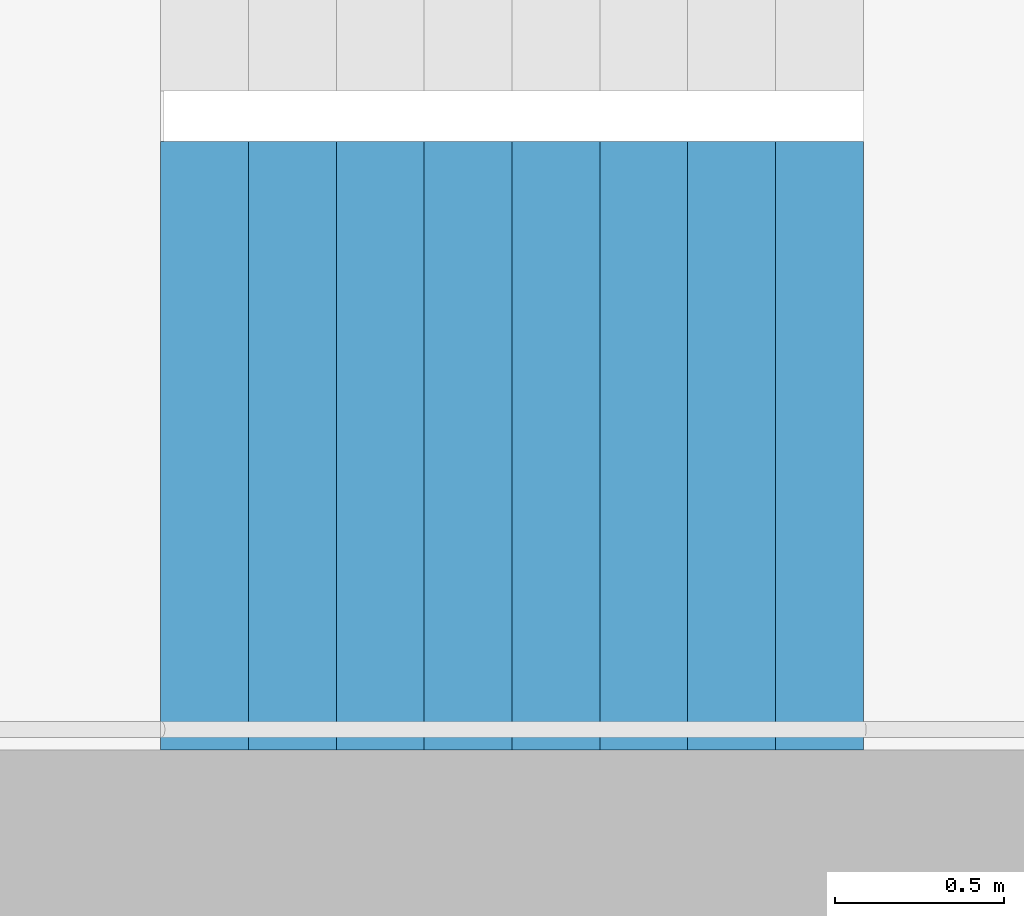
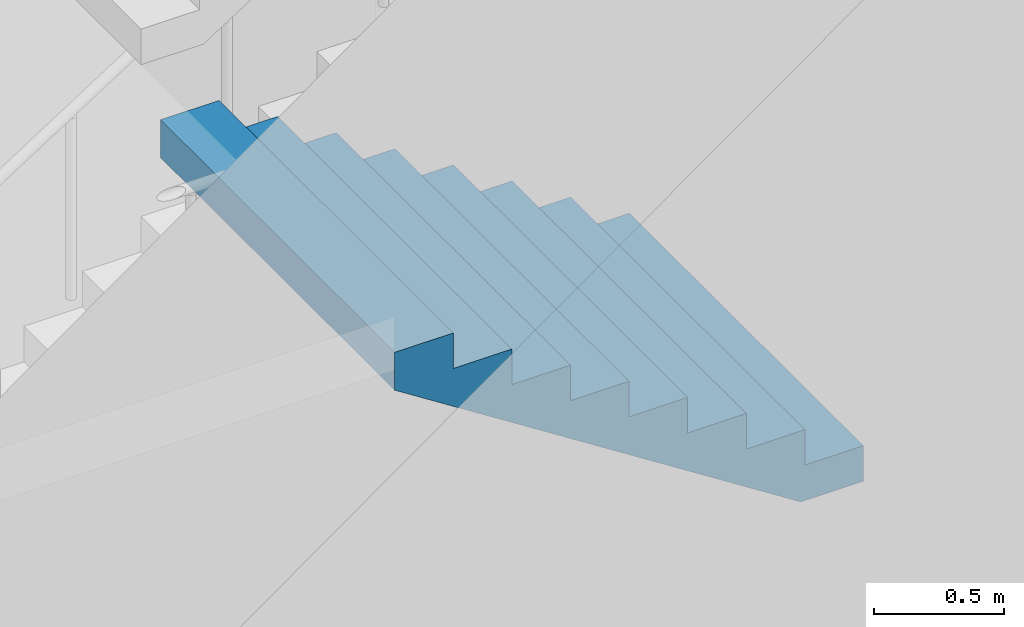
# One storey, part 62 of 100: 1 stair flight, 1 element without a shape of its own.
"""IFC4 building model written with IfcOpenShell, lengths in metres."""

from ifc_helpers import new_model, si_unit, direction, frame, origin, place, context, subcontext, project, spatial, triangles, material, type_object, element, aggregate, save


model = new_model("IFC4")

# Units and contexts
model_context = context("Model", 3, precision=1e-05, world=origin(), true_north=direction((0.0, 1.0)))
body_context = subcontext(model_context, "Body", "Model", "MODEL_VIEW")
ifc_project = project(units=[si_unit("LENGTHUNIT", "METRE"), si_unit("AREAUNIT", "SQUARE_METRE"), si_unit("VOLUMEUNIT", "CUBIC_METRE"), si_unit("PLANEANGLEUNIT", "RADIAN"), si_unit("MASSUNIT", "GRAM", prefix="KILO")], contexts=[model_context])

# Site, building, storey
site_placement = place(None, origin())
site = spatial("IfcSite", under=ifc_project, at=site_placement, CompositionType="ELEMENT")
building_placement = place(site_placement, origin())
building = spatial("IfcBuilding", under=site, at=building_placement, Name="Hakoniwa Tower and Hamabe Station Hall", CompositionType="ELEMENT")
storey_placement = place(building_placement, frame((0.0, 0.0, 9.0)))
storey = spatial("IfcBuildingStorey", under=building, at=storey_placement, Name="L02", CompositionType="ELEMENT", Elevation=9.0)

# Stair, stair flight
ifc_material_1 = material(Name="Concrete C40", Category="concrete")
stair_type = type_object("IfcStairType", Name="ESCAPE STAIR 1800", PredefinedType="HALF_TURN_STAIR", material=ifc_material_1)
stair_placement = place(storey_placement, origin())
stair = element("IfcStair", 1, at=stair_placement, inside=storey, type_object=stair_type, Name="Escape stair ST-4 L02", PredefinedType="HALF_TURN_STAIR")
ifc_material_2 = material(Name="Concrete C40", Category="concrete")
stair_flight_type = type_object("IfcStairFlightType", Name="STAIR FLIGHT 1800", PredefinedType="STRAIGHT", material=ifc_material_2)
stair_flight_placement = place(storey_placement, frame((25.47998046875, -6.60009765625, 1.5), z_axis=(0.0, 0.0, 1.0), x_axis=(-1.0, 0.0, 0.0)))
stair_flight = element("IfcStairFlight", 2, at=stair_flight_placement, type_object=stair_flight_type, Name="ST-4 flight 2", NumberOfRisers=9, NumberOfTreads=8, PredefinedType="STRAIGHT", RiserHeight=0.166666667, TreadLength=0.26, context=body_context, shape_type="Tessellation", body=[
    triangles([(0.0, 0.89990234375, 0.0), (0.260009765625, 0.89990234375, 0.0), (0.27783203125, 0.89990234375, 0.0), (0.52001953125, 0.89990234375, 0.1552734375), (0.780029296875, 0.89990234375, 0.322021484375), (1.0400390625, 0.89990234375, 0.488525390625), (1.300048828125, 0.89990234375, 0.6552734375), (1.56005859375, 0.89990234375, 0.822021484375), (1.820068359375, 0.89990234375, 0.988525390625), (2.080078125, 0.89990234375, 1.1552734375), (2.080078125, 0.89990234375, 1.333251953125), (1.820068359375, 0.89990234375, 1.333251953125), (1.820068359375, 0.89990234375, 1.166748046875), (1.56005859375, 0.89990234375, 1.166748046875), (1.56005859375, 0.89990234375, 1.0), (1.300048828125, 0.89990234375, 1.0), (1.300048828125, 0.89990234375, 0.833251953125), (1.0400390625, 0.89990234375, 0.833251953125), (1.0400390625, 0.89990234375, 0.666748046875), (0.780029296875, 0.89990234375, 0.666748046875), (0.780029296875, 0.89990234375, 0.5), (0.52001953125, 0.89990234375, 0.5), (0.52001953125, 0.89990234375, 0.333251953125), (0.27783203125, 0.89990234375, 0.333251953125), (0.260009765625, 0.89990234375, 0.333251953125), (0.260009765625, 0.89990234375, 0.166748046875), (0.0, 0.89990234375, 0.166748046875), (0.0, 0.06005859375, 0.0), (0.260009765625, 0.06005859375, 0.0), (0.27783203125, 0.06005859375, 0.0), (0.52001953125, 0.06005859375, 0.1552734375), (0.780029296875, 0.06005859375, 0.322021484375), (1.0400390625, 0.06005859375, 0.488525390625), (1.300048828125, 0.06005859375, 0.6552734375), (1.56005859375, 0.06005859375, 0.822021484375), (1.820068359375, 0.06005859375, 0.988525390625), (2.080078125, 0.06005859375, 1.1552734375), (2.080078125, 0.06005859375, 1.333251953125), (1.820068359375, 0.06005859375, 1.333251953125), (1.820068359375, 0.06005859375, 1.166748046875), (1.56005859375, 0.06005859375, 1.166748046875), (1.56005859375, 0.06005859375, 1.0), (1.300048828125, 0.06005859375, 1.0), (1.300048828125, 0.06005859375, 0.833251953125), (1.0400390625, 0.06005859375, 0.833251953125), (1.0400390625, 0.06005859375, 0.666748046875), (0.780029296875, 0.06005859375, 0.666748046875), (0.780029296875, 0.06005859375, 0.5), (0.52001953125, 0.06005859375, 0.5), (0.52001953125, 0.06005859375, 0.333251953125), (0.27783203125, 0.06005859375, 0.333251953125), (0.260009765625, 0.06005859375, 0.333251953125), (0.260009765625, 0.06005859375, 0.166748046875), (0.0, 0.06005859375, 0.166748046875), (0.0, 0.04296875, 0.0), (0.260009765625, 0.04296875, 0.0), (0.27783203125, 0.04296875, 0.0), (0.52001953125, 0.04296875, 0.1552734375), (0.780029296875, 0.04296875, 0.322021484375), (1.0400390625, 0.04296875, 0.488525390625), (1.300048828125, 0.04296875, 0.6552734375), (1.56005859375, 0.04296875, 0.822021484375), (1.820068359375, 0.04296875, 0.988525390625), (2.080078125, 0.04296875, 1.1552734375), (2.080078125, 0.04296875, 1.333251953125), (1.820068359375, 0.04296875, 1.333251953125), (1.820068359375, 0.04296875, 1.166748046875), (1.56005859375, 0.04296875, 1.166748046875), (1.56005859375, 0.04296875, 1.0), (1.300048828125, 0.04296875, 1.0), (1.300048828125, 0.04296875, 0.833251953125), (1.0400390625, 0.04296875, 0.833251953125), (1.0400390625, 0.04296875, 0.666748046875), (0.780029296875, 0.04296875, 0.666748046875), (0.780029296875, 0.04296875, 0.5), (0.52001953125, 0.04296875, 0.5), (0.52001953125, 0.04296875, 0.333251953125), (0.27783203125, 0.04296875, 0.333251953125), (0.260009765625, 0.04296875, 0.333251953125), (0.260009765625, 0.04296875, 0.166748046875), (0.0, 0.04296875, 0.166748046875), (0.0, 0.025634765625, 0.0), (0.260009765625, 0.025634765625, 0.0), (0.27783203125, 0.025634765625, 0.0), (0.52001953125, 0.025634765625, 0.1552734375), (0.780029296875, 0.025634765625, 0.322021484375), (1.0400390625, 0.025634765625, 0.488525390625), (1.300048828125, 0.025634765625, 0.6552734375), (1.56005859375, 0.025634765625, 0.822021484375), (1.820068359375, 0.025634765625, 0.988525390625), (2.080078125, 0.025634765625, 1.1552734375), (2.080078125, 0.025634765625, 1.333251953125), (1.820068359375, 0.025634765625, 1.333251953125), (1.820068359375, 0.025634765625, 1.166748046875), (1.56005859375, 0.025634765625, 1.166748046875), (1.56005859375, 0.025634765625, 1.0), (1.300048828125, 0.025634765625, 1.0), (1.300048828125, 0.025634765625, 0.833251953125), (1.0400390625, 0.025634765625, 0.833251953125), (1.0400390625, 0.025634765625, 0.666748046875), (0.780029296875, 0.025634765625, 0.666748046875), (0.780029296875, 0.025634765625, 0.5), (0.52001953125, 0.025634765625, 0.5), (0.52001953125, 0.025634765625, 0.333251953125), (0.27783203125, 0.025634765625, 0.333251953125), (0.260009765625, 0.025634765625, 0.333251953125), (0.260009765625, 0.025634765625, 0.166748046875), (0.0, 0.025634765625, 0.166748046875), (0.0, 0.008544921875, 0.0), (0.260009765625, 0.008544921875, 0.0), (0.27783203125, 0.008544921875, 0.0), (0.52001953125, 0.008544921875, 0.1552734375), (0.780029296875, 0.008544921875, 0.322021484375), (1.0400390625, 0.008544921875, 0.488525390625), (1.300048828125, 0.008544921875, 0.6552734375), (1.56005859375, 0.008544921875, 0.822021484375), (1.820068359375, 0.008544921875, 0.988525390625), (2.080078125, 0.008544921875, 1.1552734375), (2.080078125, 0.008544921875, 1.333251953125), (1.820068359375, 0.008544921875, 1.333251953125), (1.820068359375, 0.008544921875, 1.166748046875), (1.56005859375, 0.008544921875, 1.166748046875), (1.56005859375, 0.008544921875, 1.0), (1.300048828125, 0.008544921875, 1.0), (1.300048828125, 0.008544921875, 0.833251953125), (1.0400390625, 0.008544921875, 0.833251953125), (1.0400390625, 0.008544921875, 0.666748046875), (0.780029296875, 0.008544921875, 0.666748046875), (0.780029296875, 0.008544921875, 0.5), (0.52001953125, 0.008544921875, 0.5), (0.52001953125, 0.008544921875, 0.333251953125), (0.27783203125, 0.008544921875, 0.333251953125), (0.260009765625, 0.008544921875, 0.333251953125), (0.260009765625, 0.008544921875, 0.166748046875), (0.0, 0.008544921875, 0.166748046875), (0.0, -0.008544921875, 0.0), (0.260009765625, -0.008544921875, 0.0), (0.27783203125, -0.008544921875, 0.0), (0.52001953125, -0.008544921875, 0.1552734375), (0.780029296875, -0.008544921875, 0.322021484375), (1.0400390625, -0.008544921875, 0.488525390625), (1.300048828125, -0.008544921875, 0.6552734375), (1.56005859375, -0.008544921875, 0.822021484375), (1.820068359375, -0.008544921875, 0.988525390625), (2.080078125, -0.008544921875, 1.1552734375), (2.080078125, -0.008544921875, 1.333251953125), (1.820068359375, -0.008544921875, 1.333251953125), (1.820068359375, -0.008544921875, 1.166748046875), (1.56005859375, -0.008544921875, 1.166748046875), (1.56005859375, -0.008544921875, 1.0), (1.300048828125, -0.008544921875, 1.0), (1.300048828125, -0.008544921875, 0.833251953125), (1.0400390625, -0.008544921875, 0.833251953125), (1.0400390625, -0.008544921875, 0.666748046875), (0.780029296875, -0.008544921875, 0.666748046875), (0.780029296875, -0.008544921875, 0.5), (0.52001953125, -0.008544921875, 0.5), (0.52001953125, -0.008544921875, 0.333251953125), (0.27783203125, -0.008544921875, 0.333251953125), (0.260009765625, -0.008544921875, 0.333251953125), (0.260009765625, -0.008544921875, 0.166748046875), (0.0, -0.008544921875, 0.166748046875), (0.0, -0.025634765625, 0.0), (0.260009765625, -0.025634765625, 0.0), (0.27783203125, -0.025634765625, 0.0), (0.52001953125, -0.025634765625, 0.1552734375), (0.780029296875, -0.025634765625, 0.322021484375), (1.0400390625, -0.025634765625, 0.488525390625), (1.300048828125, -0.025634765625, 0.6552734375), (1.56005859375, -0.025634765625, 0.822021484375), (1.820068359375, -0.025634765625, 0.988525390625), (2.080078125, -0.025634765625, 1.1552734375), (2.080078125, -0.025634765625, 1.333251953125), (1.820068359375, -0.025634765625, 1.333251953125), (1.820068359375, -0.025634765625, 1.166748046875), (1.56005859375, -0.025634765625, 1.166748046875), (1.56005859375, -0.025634765625, 1.0), (1.300048828125, -0.025634765625, 1.0), (1.300048828125, -0.025634765625, 0.833251953125), (1.0400390625, -0.025634765625, 0.833251953125), (1.0400390625, -0.025634765625, 0.666748046875), (0.780029296875, -0.025634765625, 0.666748046875), (0.780029296875, -0.025634765625, 0.5), (0.52001953125, -0.025634765625, 0.5), (0.52001953125, -0.025634765625, 0.333251953125), (0.27783203125, -0.025634765625, 0.333251953125), (0.260009765625, -0.025634765625, 0.333251953125), (0.260009765625, -0.025634765625, 0.166748046875), (0.0, -0.025634765625, 0.166748046875), (0.0, -0.04296875, 0.0), (0.260009765625, -0.04296875, 0.0), (0.27783203125, -0.04296875, 0.0), (0.52001953125, -0.04296875, 0.1552734375), (0.780029296875, -0.04296875, 0.322021484375), (1.0400390625, -0.04296875, 0.488525390625), (1.300048828125, -0.04296875, 0.6552734375), (1.56005859375, -0.04296875, 0.822021484375), (1.820068359375, -0.04296875, 0.988525390625), (2.080078125, -0.04296875, 1.1552734375), (2.080078125, -0.04296875, 1.333251953125), (1.820068359375, -0.04296875, 1.333251953125), (1.820068359375, -0.04296875, 1.166748046875), (1.56005859375, -0.04296875, 1.166748046875), (1.56005859375, -0.04296875, 1.0), (1.300048828125, -0.04296875, 1.0), (1.300048828125, -0.04296875, 0.833251953125), (1.0400390625, -0.04296875, 0.833251953125), (1.0400390625, -0.04296875, 0.666748046875), (0.780029296875, -0.04296875, 0.666748046875), (0.780029296875, -0.04296875, 0.5), (0.52001953125, -0.04296875, 0.5), (0.52001953125, -0.04296875, 0.333251953125), (0.27783203125, -0.04296875, 0.333251953125), (0.260009765625, -0.04296875, 0.333251953125), (0.260009765625, -0.04296875, 0.166748046875), (0.0, -0.04296875, 0.166748046875), (0.0, -0.06005859375, 0.0), (0.260009765625, -0.06005859375, 0.0), (0.27783203125, -0.06005859375, 0.0), (0.52001953125, -0.06005859375, 0.1552734375), (0.780029296875, -0.06005859375, 0.322021484375), (1.0400390625, -0.06005859375, 0.488525390625), (1.300048828125, -0.06005859375, 0.6552734375), (1.56005859375, -0.06005859375, 0.822021484375), (1.820068359375, -0.06005859375, 0.988525390625), (2.080078125, -0.06005859375, 1.1552734375), (2.080078125, -0.06005859375, 1.333251953125), (1.820068359375, -0.06005859375, 1.333251953125), (1.820068359375, -0.06005859375, 1.166748046875), (1.56005859375, -0.06005859375, 1.166748046875), (1.56005859375, -0.06005859375, 1.0), (1.300048828125, -0.06005859375, 1.0), (1.300048828125, -0.06005859375, 0.833251953125), (1.0400390625, -0.06005859375, 0.833251953125), (1.0400390625, -0.06005859375, 0.666748046875), (0.780029296875, -0.06005859375, 0.666748046875), (0.780029296875, -0.06005859375, 0.5), (0.52001953125, -0.06005859375, 0.5), (0.52001953125, -0.06005859375, 0.333251953125), (0.27783203125, -0.06005859375, 0.333251953125), (0.260009765625, -0.06005859375, 0.333251953125), (0.260009765625, -0.06005859375, 0.166748046875), (0.0, -0.06005859375, 0.166748046875), (0.0, -0.89990234375, 0.0), (0.260009765625, -0.89990234375, 0.0), (0.27783203125, -0.89990234375, 0.0), (0.52001953125, -0.89990234375, 0.1552734375), (0.780029296875, -0.89990234375, 0.322021484375), (1.0400390625, -0.89990234375, 0.488525390625), (1.300048828125, -0.89990234375, 0.6552734375), (1.56005859375, -0.89990234375, 0.822021484375), (1.820068359375, -0.89990234375, 0.988525390625), (2.080078125, -0.89990234375, 1.1552734375), (2.080078125, -0.89990234375, 1.333251953125), (1.820068359375, -0.89990234375, 1.333251953125), (1.820068359375, -0.89990234375, 1.166748046875), (1.56005859375, -0.89990234375, 1.166748046875), (1.56005859375, -0.89990234375, 1.0), (1.300048828125, -0.89990234375, 1.0), (1.300048828125, -0.89990234375, 0.833251953125), (1.0400390625, -0.89990234375, 0.833251953125), (1.0400390625, -0.89990234375, 0.666748046875), (0.780029296875, -0.89990234375, 0.666748046875), (0.780029296875, -0.89990234375, 0.5), (0.52001953125, -0.89990234375, 0.5), (0.52001953125, -0.89990234375, 0.333251953125), (0.27783203125, -0.89990234375, 0.333251953125), (0.260009765625, -0.89990234375, 0.333251953125), (0.260009765625, -0.89990234375, 0.166748046875), (0.0, -0.89990234375, 0.166748046875)], [[2, 27, 26], [245, 269, 270], [2, 1, 27], [245, 270, 244], [3, 25, 24], [246, 267, 268], [3, 26, 25], [246, 268, 269], [3, 2, 26], [246, 269, 245], [4, 24, 23], [247, 266, 267], [4, 3, 24], [247, 267, 246], [5, 22, 21], [248, 264, 265], [5, 23, 22], [248, 265, 266], [5, 4, 23], [248, 266, 247], [6, 20, 19], [249, 262, 263], [6, 21, 20], [249, 263, 264], [6, 5, 21], [249, 264, 248], [7, 18, 17], [250, 260, 261], [7, 19, 18], [250, 261, 262], [7, 6, 19], [250, 262, 249], [8, 16, 15], [251, 258, 259], [8, 17, 16], [251, 259, 260], [8, 7, 17], [251, 260, 250], [9, 14, 13], [252, 256, 257], [9, 15, 14], [252, 257, 258], [9, 8, 15], [252, 258, 251], [10, 12, 11], [253, 254, 255], [10, 13, 12], [253, 255, 256], [10, 9, 13], [253, 256, 252], [1, 2, 29], [1, 29, 28], [28, 29, 56], [28, 56, 55], [55, 56, 83], [55, 83, 82], [82, 83, 110], [82, 110, 109], [109, 110, 137], [109, 137, 136], [136, 137, 164], [136, 164, 163], [163, 164, 191], [163, 191, 190], [190, 191, 218], [190, 218, 217], [217, 218, 245], [217, 245, 244], [2, 3, 30], [2, 30, 29], [29, 30, 57], [29, 57, 56], [56, 57, 84], [56, 84, 83], [83, 84, 111], [83, 111, 110], [110, 111, 138], [110, 138, 137], [137, 138, 165], [137, 165, 164], [164, 165, 192], [164, 192, 191], [191, 192, 219], [191, 219, 218], [218, 219, 246], [218, 246, 245], [3, 4, 31], [3, 31, 30], [30, 31, 58], [30, 58, 57], [57, 58, 85], [57, 85, 84], [84, 85, 112], [84, 112, 111], [111, 112, 139], [111, 139, 138], [138, 139, 166], [138, 166, 165], [165, 166, 193], [165, 193, 192], [192, 193, 220], [192, 220, 219], [219, 220, 247], [219, 247, 246], [4, 5, 32], [4, 32, 31], [31, 32, 59], [31, 59, 58], [58, 59, 86], [58, 86, 85], [85, 86, 113], [85, 113, 112], [112, 113, 140], [112, 140, 139], [139, 140, 167], [139, 167, 166], [166, 167, 194], [166, 194, 193], [193, 194, 221], [193, 221, 220], [220, 221, 248], [220, 248, 247], [5, 6, 33], [5, 33, 32], [32, 33, 60], [32, 60, 59], [59, 60, 87], [59, 87, 86], [86, 87, 114], [86, 114, 113], [113, 114, 141], [113, 141, 140], [140, 141, 168], [140, 168, 167], [167, 168, 195], [167, 195, 194], [194, 195, 222], [194, 222, 221], [221, 222, 249], [221, 249, 248], [6, 7, 34], [6, 34, 33], [33, 34, 61], [33, 61, 60], [60, 61, 88], [60, 88, 87], [87, 88, 115], [87, 115, 114], [114, 115, 142], [114, 142, 141], [141, 142, 169], [141, 169, 168], [168, 169, 196], [168, 196, 195], [195, 196, 223], [195, 223, 222], [222, 223, 250], [222, 250, 249], [7, 8, 35], [7, 35, 34], [34, 35, 62], [34, 62, 61], [61, 62, 89], [61, 89, 88], [88, 89, 116], [88, 116, 115], [115, 116, 143], [115, 143, 142], [142, 143, 170], [142, 170, 169], [169, 170, 197], [169, 197, 196], [196, 197, 224], [196, 224, 223], [223, 224, 251], [223, 251, 250], [8, 9, 36], [8, 36, 35], [35, 36, 63], [35, 63, 62], [62, 63, 90], [62, 90, 89], [89, 90, 117], [89, 117, 116], [116, 117, 144], [116, 144, 143], [143, 144, 171], [143, 171, 170], [170, 171, 198], [170, 198, 197], [197, 198, 225], [197, 225, 224], [224, 225, 252], [224, 252, 251], [9, 10, 37], [9, 37, 36], [36, 37, 64], [36, 64, 63], [63, 64, 91], [63, 91, 90], [90, 91, 118], [90, 118, 117], [117, 118, 145], [117, 145, 144], [144, 145, 172], [144, 172, 171], [171, 172, 199], [171, 199, 198], [198, 199, 226], [198, 226, 225], [225, 226, 253], [225, 253, 252], [10, 11, 38], [10, 38, 37], [37, 38, 65], [37, 65, 64], [64, 65, 92], [64, 92, 91], [91, 92, 119], [91, 119, 118], [118, 119, 146], [118, 146, 145], [145, 146, 173], [145, 173, 172], [172, 173, 200], [172, 200, 199], [199, 200, 227], [199, 227, 226], [226, 227, 254], [226, 254, 253], [11, 12, 39], [11, 39, 38], [38, 39, 66], [38, 66, 65], [65, 66, 93], [65, 93, 92], [92, 93, 120], [92, 120, 119], [119, 120, 147], [119, 147, 146], [146, 147, 174], [146, 174, 173], [173, 174, 201], [173, 201, 200], [200, 201, 228], [200, 228, 227], [227, 228, 255], [227, 255, 254], [12, 13, 40], [12, 40, 39], [39, 40, 67], [39, 67, 66], [66, 67, 94], [66, 94, 93], [93, 94, 121], [93, 121, 120], [120, 121, 148], [120, 148, 147], [147, 148, 175], [147, 175, 174], [174, 175, 202], [174, 202, 201], [201, 202, 229], [201, 229, 228], [228, 229, 256], [228, 256, 255], [13, 14, 41], [13, 41, 40], [40, 41, 68], [40, 68, 67], [67, 68, 95], [67, 95, 94], [94, 95, 122], [94, 122, 121], [121, 122, 149], [121, 149, 148], [148, 149, 176], [148, 176, 175], [175, 176, 203], [175, 203, 202], [202, 203, 230], [202, 230, 229], [229, 230, 257], [229, 257, 256], [14, 15, 42], [14, 42, 41], [41, 42, 69], [41, 69, 68], [68, 69, 96], [68, 96, 95], [95, 96, 123], [95, 123, 122], [122, 123, 150], [122, 150, 149], [149, 150, 177], [149, 177, 176], [176, 177, 204], [176, 204, 203], [203, 204, 231], [203, 231, 230], [230, 231, 258], [230, 258, 257], [15, 16, 43], [15, 43, 42], [42, 43, 70], [42, 70, 69], [69, 70, 97], [69, 97, 96], [96, 97, 124], [96, 124, 123], [123, 124, 151], [123, 151, 150], [150, 151, 178], [150, 178, 177], [177, 178, 205], [177, 205, 204], [204, 205, 232], [204, 232, 231], [231, 232, 259], [231, 259, 258], [16, 17, 44], [16, 44, 43], [43, 44, 71], [43, 71, 70], [70, 71, 98], [70, 98, 97], [97, 98, 125], [97, 125, 124], [124, 125, 152], [124, 152, 151], [151, 152, 179], [151, 179, 178], [178, 179, 206], [178, 206, 205], [205, 206, 233], [205, 233, 232], [232, 233, 260], [232, 260, 259], [17, 18, 45], [17, 45, 44], [44, 45, 72], [44, 72, 71], [71, 72, 99], [71, 99, 98], [98, 99, 126], [98, 126, 125], [125, 126, 153], [125, 153, 152], [152, 153, 180], [152, 180, 179], [179, 180, 207], [179, 207, 206], [206, 207, 234], [206, 234, 233], [233, 234, 261], [233, 261, 260], [18, 19, 46], [18, 46, 45], [45, 46, 73], [45, 73, 72], [72, 73, 100], [72, 100, 99], [99, 100, 127], [99, 127, 126], [126, 127, 154], [126, 154, 153], [153, 154, 181], [153, 181, 180], [180, 181, 208], [180, 208, 207], [207, 208, 235], [207, 235, 234], [234, 235, 262], [234, 262, 261], [19, 20, 47], [19, 47, 46], [46, 47, 74], [46, 74, 73], [73, 74, 101], [73, 101, 100], [100, 101, 128], [100, 128, 127], [127, 128, 155], [127, 155, 154], [154, 155, 182], [154, 182, 181], [181, 182, 209], [181, 209, 208], [208, 209, 236], [208, 236, 235], [235, 236, 263], [235, 263, 262], [20, 21, 48], [20, 48, 47], [47, 48, 75], [47, 75, 74], [74, 75, 102], [74, 102, 101], [101, 102, 129], [101, 129, 128], [128, 129, 156], [128, 156, 155], [155, 156, 183], [155, 183, 182], [182, 183, 210], [182, 210, 209], [209, 210, 237], [209, 237, 236], [236, 237, 264], [236, 264, 263], [21, 22, 49], [21, 49, 48], [48, 49, 76], [48, 76, 75], [75, 76, 103], [75, 103, 102], [102, 103, 130], [102, 130, 129], [129, 130, 157], [129, 157, 156], [156, 157, 184], [156, 184, 183], [183, 184, 211], [183, 211, 210], [210, 211, 238], [210, 238, 237], [237, 238, 265], [237, 265, 264], [22, 23, 50], [22, 50, 49], [49, 50, 77], [49, 77, 76], [76, 77, 104], [76, 104, 103], [103, 104, 131], [103, 131, 130], [130, 131, 158], [130, 158, 157], [157, 158, 185], [157, 185, 184], [184, 185, 212], [184, 212, 211], [211, 212, 239], [211, 239, 238], [238, 239, 266], [238, 266, 265], [23, 24, 51], [23, 51, 50], [50, 51, 78], [50, 78, 77], [77, 78, 105], [77, 105, 104], [104, 105, 132], [104, 132, 131], [131, 132, 159], [131, 159, 158], [158, 159, 186], [158, 186, 185], [185, 186, 213], [185, 213, 212], [212, 213, 240], [212, 240, 239], [239, 240, 267], [239, 267, 266], [24, 25, 52], [24, 52, 51], [51, 52, 79], [51, 79, 78], [78, 79, 106], [78, 106, 105], [105, 106, 133], [105, 133, 132], [132, 133, 160], [132, 160, 159], [159, 160, 187], [159, 187, 186], [186, 187, 214], [186, 214, 213], [213, 214, 241], [213, 241, 240], [240, 241, 268], [240, 268, 267], [25, 26, 53], [25, 53, 52], [52, 53, 80], [52, 80, 79], [79, 80, 107], [79, 107, 106], [106, 107, 134], [106, 134, 133], [133, 134, 161], [133, 161, 160], [160, 161, 188], [160, 188, 187], [187, 188, 215], [187, 215, 214], [214, 215, 242], [214, 242, 241], [241, 242, 269], [241, 269, 268], [26, 27, 54], [26, 54, 53], [53, 54, 81], [53, 81, 80], [80, 81, 108], [80, 108, 107], [107, 108, 135], [107, 135, 134], [134, 135, 162], [134, 162, 161], [161, 162, 189], [161, 189, 188], [188, 189, 216], [188, 216, 215], [215, 216, 243], [215, 243, 242], [242, 243, 270], [242, 270, 269], [27, 1, 28], [27, 28, 54], [54, 28, 55], [54, 55, 81], [81, 55, 82], [81, 82, 108], [108, 82, 109], [108, 109, 135], [135, 109, 136], [135, 136, 162], [162, 136, 163], [162, 163, 189], [189, 163, 190], [189, 190, 216], [216, 190, 217], [216, 217, 243], [243, 217, 244], [243, 244, 270]], closed=True),
])
aggregate(stair, [stair_flight])

save(model, "model.ifc")
